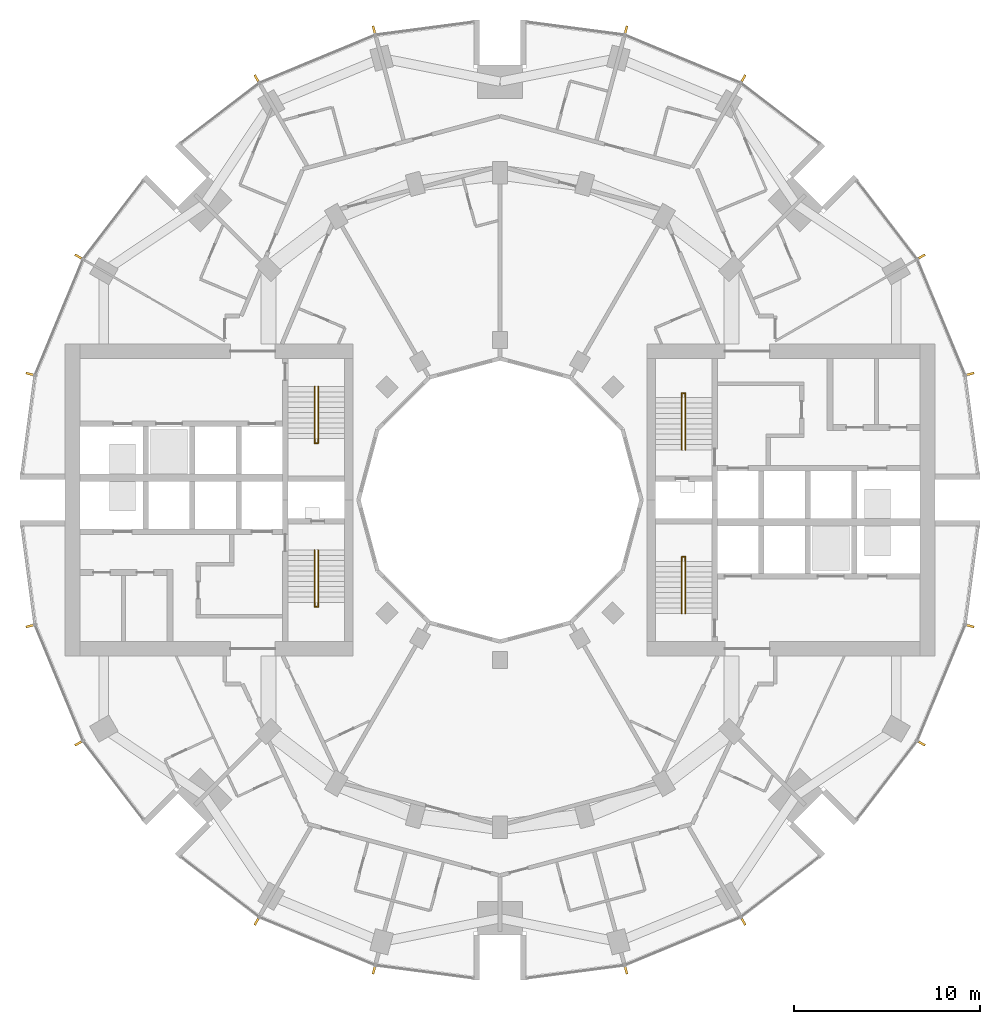
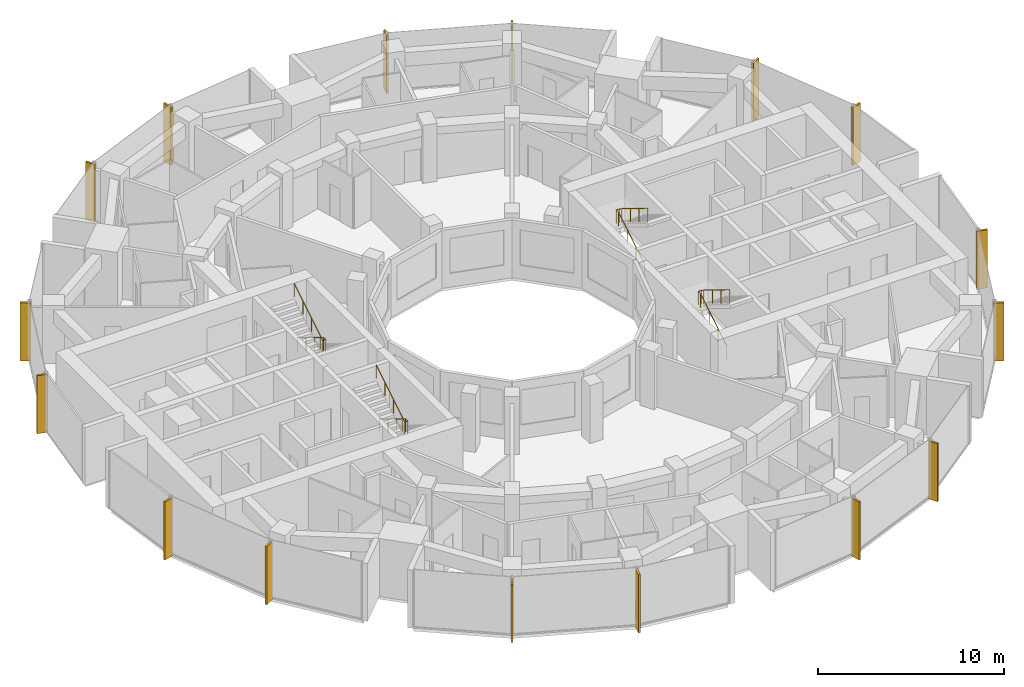
# One storey, part 14 of 15: 16 shading devices, 4 railings.
"""IFC4 building model written with IfcOpenShell, lengths in metres."""

from ifc_helpers import new_model, si_unit, direction, frame, origin, origin_2d, place, context, subcontext, project, spatial, rectangle, circle, extrude, material, material_profile, profile_set, type_object, element, save


model = new_model("IFC4")

# Units and contexts
model_context = context("Model", 3, precision=1e-05, world=origin(), true_north=direction((0.0, 1.0)))
body_context = subcontext(model_context, "Body", "Model", "MODEL_VIEW")
ifc_project = project(units=[si_unit("LENGTHUNIT", "METRE"), si_unit("AREAUNIT", "SQUARE_METRE"), si_unit("VOLUMEUNIT", "CUBIC_METRE"), si_unit("PLANEANGLEUNIT", "RADIAN"), si_unit("MASSUNIT", "GRAM", prefix="KILO")], contexts=[model_context])

# Site, building, storey
site_placement = place(None, origin())
site = spatial("IfcSite", under=ifc_project, at=site_placement, CompositionType="ELEMENT")
building_placement = place(site_placement, origin())
building = spatial("IfcBuilding", under=site, at=building_placement, Name="Torre Brocal", CompositionType="ELEMENT")
storey_placement = place(building_placement, frame((0.0, 0.0, 90.0)))
storey = spatial("IfcBuildingStorey", under=building, at=storey_placement, Name="L20", CompositionType="ELEMENT", Elevation=90.0)

# Shading devices
ifc_material_1 = material(Name="Aluminium, black anodised", Category="aluminium")
ifc_material_profile = material_profile(ifc_material_1, rectangle(XDim=0.1201171875, YDim=0.60009765625, at=origin_2d()), Name="FIN 120X600 3800 HIGH")
ifc_profile_set = profile_set([ifc_material_profile], Name="Aluminium, black anodised")
shading_device_type = type_object("IfcShadingDeviceType", Name="FIN 120X600 3800 HIGH", PredefinedType="USERDEFINED", material=ifc_profile_set)
for number, where, z_axis, x_axis, name in (
    (1, (105.208984375, 81.754638671875, -0.14990234375), (0.0, 0.0, 1.0), (-0.258819045103, 0.965925826289, 0.0), "FIN"),
    (2, (102.601806640625, 88.049072265625, -0.14990234375), (0.0, 0.0, 1.0), (-0.5, 0.866025403784, 0.0), "FIN"),
    (3, (93.049072265625, 97.601806640625, -0.14990234375), (0.0, 0.0, 1.0), (-0.866025403784, 0.5, 0.0), "FIN"),
    (4, (86.754638671875, 100.208984375, -0.14990234375), (0.0, 0.0, 1.0), (-0.965925826289, 0.258819045103, 0.0), "FIN"),
    (5, (73.245361328125, 100.208984375, -0.14990234375), (0.0, 0.0, 1.0), (-0.965925826289, -0.258819045103, 0.0), "FIN"),
    (6, (66.950927734375, 97.601806640625, -0.14990234375), (0.0, 0.0, 1.0), (-0.866025403784, -0.5, 0.0), "FIN"),
    (7, (57.398193359375, 88.049072265625, -0.14990234375), (0.0, 0.0, 1.0), (-0.5, -0.866025403784, 0.0), "FIN"),
    (8, (54.791015625, 81.754638671875, -0.14990234375), (0.0, 0.0, 1.0), (-0.258819045103, -0.965925826289, 0.0), "FIN"),
    (9, (54.791015625, 68.245361328125, -0.14990234375), (0.0, 0.0, 1.0), (0.258819045103, -0.965925826289, 0.0), "FIN"),
    (10, (57.398193359375, 61.950927734375, -0.14990234375), (0.0, 0.0, 1.0), (0.5, -0.866025403784, 0.0), "FIN"),
    (11, (66.950927734375, 52.398193359375, -0.14990234375), (0.0, 0.0, 1.0), (0.866025403784, -0.5, 0.0), "FIN"),
    (12, (73.245361328125, 49.791015625, -0.14990234375), (0.0, 0.0, 1.0), (0.965925826289, -0.258819045103, 0.0), "FIN"),
    (13, (86.754638671875, 49.791015625, -0.14990234375), (0.0, 0.0, 1.0), (0.965925826289, 0.258819045103, 0.0), "FIN"),
    (14, (93.049072265625, 52.398193359375, -0.14990234375), (0.0, 0.0, 1.0), (0.866025403784, 0.5, 0.0), "FIN"),
    (15, (102.601806640625, 61.950927734375, -0.14990234375), (0.0, 0.0, 1.0), (0.5, 0.866025403784, 0.0), "FIN"),
    (16, (105.208984375, 68.245361328125, -0.14990234375), (0.0, 0.0, 1.0), (0.258819045103, 0.965925826289, 0.0), "FIN"),
):
    element("IfcShadingDevice", number, at=place(storey_placement, frame(where, z_axis=z_axis, x_axis=x_axis)), inside=storey, type_object=shading_device_type, Name=name, ObjectType="FIN", PredefinedType="USERDEFINED", context=body_context, shape_type="SweptSolid", body=[
        extrude(rectangle(XDim=0.1201171875, YDim=0.60009765625, at=origin_2d()), origin(), (0.0, 0.0, 1.0), 3.7998046875),
    ])

# Railings
ifc_material_2 = material(Name="Stainless steel AISI 316", Category="steel")
railing_type = type_object("IfcRailingType", Name="STAIR HANDRAIL", PredefinedType="HANDRAIL", material=ifc_material_2)
railing_1_placement = place(storey_placement, frame((89.780029296875, 77.699951171875, 0.172607421875)))
element("IfcRailing", 17, at=railing_1_placement, inside=storey, type_object=railing_type, Name="HANDRAIL ST1", PredefinedType="HANDRAIL", context=body_context, shape_type="SweptSolid", body=[
    extrude(circle(Radius=0.02392578125, at=origin_2d()), frame((0.0, 0.0, 0.8759765625), z_axis=(0.0, 0.851089632645, 0.525020415988), x_axis=(-1.0, 0.0, 0.0)), (0.0, 0.0, 1.0), 3.2900390625),
    extrude(circle(Radius=0.02392578125, at=origin_2d()), frame((0.0, 2.800048828125, 2.60302734375), z_axis=(0.0, 1.0, 0.0), x_axis=(-1.0, 0.0, 0.0)), (0.0, 0.0, 1.0), 0.25),
    extrude(circle(Radius=0.02392578125, at=origin_2d()), frame((0.0, 3.050048828125, 2.60302734375), z_axis=(1.0, 0.0, 0.0), x_axis=(0.0, 1.0, 0.0)), (0.0, 0.0, 1.0), 0.18994140625),
    extrude(circle(Radius=0.02392578125, at=origin_2d()), frame((0.18994140625, 3.050048828125, 2.60302734375), z_axis=(0.0, -0.82253904752, 0.568708638324), x_axis=(1.0, 0.0, 0.0)), (0.0, 0.0, 1.0), 0.303955078125),
    extrude(circle(Radius=0.02392578125, at=origin_2d()), frame((0.18994140625, 2.800048828125, 2.77587890625), z_axis=(0.0, -0.851089632645, 0.525020415988), x_axis=(1.0, 0.0, 0.0)), (0.0, 0.0, 1.0), 3.2900390625),
    extrude(circle(Radius=0.02099609375, at=origin_2d()), origin(), (0.0, 0.0, 1.0), 0.851806640625),
    extrude(circle(Radius=0.02099609375, at=origin_2d()), frame((0.0, 0.933349609375, 0.57568359375)), (0.0, 0.0, 1.0), 0.851806640625),
    extrude(circle(Radius=0.02099609375, at=origin_2d()), frame((0.0, 1.86669921875, 1.151611328125)), (0.0, 0.0, 1.0), 0.851806640625),
    extrude(circle(Radius=0.02099609375, at=origin_2d()), frame((0.0, 2.800048828125, 1.727294921875)), (0.0, 0.0, 1.0), 0.851806640625),
    extrude(circle(Radius=0.02099609375, at=origin_2d()), frame((0.0, 3.050048828125, 1.727294921875)), (0.0, 0.0, 1.0), 0.851806640625),
    extrude(circle(Radius=0.02099609375, at=origin_2d()), frame((0.18994140625, 3.050048828125, 1.727294921875)), (0.0, 0.0, 1.0), 0.851806640625),
    extrude(circle(Radius=0.02099609375, at=origin_2d()), frame((0.18994140625, 2.800048828125, 1.900146484375)), (0.0, 0.0, 1.0), 0.851806640625),
    extrude(circle(Radius=0.02099609375, at=origin_2d()), frame((0.18994140625, 1.86669921875, 2.475830078125)), (0.0, 0.0, 1.0), 0.851806640625),
    extrude(circle(Radius=0.02099609375, at=origin_2d()), frame((0.18994140625, 0.933349609375, 3.0517578125)), (0.0, 0.0, 1.0), 0.851806640625),
    extrude(circle(Radius=0.02099609375, at=origin_2d()), frame((0.18994140625, 0.0, 3.62744140625)), (0.0, 0.0, 1.0), 0.851806640625),
])
railing_2_placement = place(storey_placement, frame((89.780029296875, 68.89990234375, 0.172607421875)))
element("IfcRailing", 18, at=railing_2_placement, inside=storey, type_object=railing_type, Name="HANDRAIL ST2", PredefinedType="HANDRAIL", context=body_context, shape_type="SweptSolid", body=[
    extrude(circle(Radius=0.02392578125, at=origin_2d()), frame((0.0, 0.0, 0.8759765625), z_axis=(0.0, 0.851089632645, 0.525020415988), x_axis=(-1.0, 0.0, 0.0)), (0.0, 0.0, 1.0), 3.2900390625),
    extrude(circle(Radius=0.02392578125, at=origin_2d()), frame((0.0, 2.800048828125, 2.60302734375), z_axis=(0.0, 1.0, 0.0), x_axis=(-1.0, 0.0, 0.0)), (0.0, 0.0, 1.0), 0.25),
    extrude(circle(Radius=0.02392578125, at=origin_2d()), frame((0.0, 3.050048828125, 2.60302734375), z_axis=(1.0, 0.0, 0.0), x_axis=(0.0, 1.0, 0.0)), (0.0, 0.0, 1.0), 0.18994140625),
    extrude(circle(Radius=0.02392578125, at=origin_2d()), frame((0.18994140625, 3.050048828125, 2.60302734375), z_axis=(0.0, -0.82253904752, 0.568708638324), x_axis=(1.0, 0.0, 0.0)), (0.0, 0.0, 1.0), 0.303955078125),
    extrude(circle(Radius=0.02392578125, at=origin_2d()), frame((0.18994140625, 2.800048828125, 2.77587890625), z_axis=(0.0, -0.851089632645, 0.525020415988), x_axis=(1.0, 0.0, 0.0)), (0.0, 0.0, 1.0), 3.2900390625),
    extrude(circle(Radius=0.02099609375, at=origin_2d()), origin(), (0.0, 0.0, 1.0), 0.851806640625),
    extrude(circle(Radius=0.02099609375, at=origin_2d()), frame((0.0, 0.933349609375, 0.57568359375)), (0.0, 0.0, 1.0), 0.851806640625),
    extrude(circle(Radius=0.02099609375, at=origin_2d()), frame((0.0, 1.86669921875, 1.151611328125)), (0.0, 0.0, 1.0), 0.851806640625),
    extrude(circle(Radius=0.02099609375, at=origin_2d()), frame((0.0, 2.800048828125, 1.727294921875)), (0.0, 0.0, 1.0), 0.851806640625),
    extrude(circle(Radius=0.02099609375, at=origin_2d()), frame((0.0, 3.050048828125, 1.727294921875)), (0.0, 0.0, 1.0), 0.851806640625),
    extrude(circle(Radius=0.02099609375, at=origin_2d()), frame((0.18994140625, 3.050048828125, 1.727294921875)), (0.0, 0.0, 1.0), 0.851806640625),
    extrude(circle(Radius=0.02099609375, at=origin_2d()), frame((0.18994140625, 2.800048828125, 1.900146484375)), (0.0, 0.0, 1.0), 0.851806640625),
    extrude(circle(Radius=0.02099609375, at=origin_2d()), frame((0.18994140625, 1.86669921875, 2.475830078125)), (0.0, 0.0, 1.0), 0.851806640625),
    extrude(circle(Radius=0.02099609375, at=origin_2d()), frame((0.18994140625, 0.933349609375, 3.0517578125)), (0.0, 0.0, 1.0), 0.851806640625),
    extrude(circle(Radius=0.02099609375, at=origin_2d()), frame((0.18994140625, 0.0, 3.62744140625)), (0.0, 0.0, 1.0), 0.851806640625),
])
railing_3_placement = place(storey_placement, frame((70.219970703125, 72.300048828125, 0.172607421875)))
element("IfcRailing", 19, at=railing_3_placement, inside=storey, type_object=railing_type, Name="HANDRAIL ST3", PredefinedType="HANDRAIL", context=body_context, shape_type="SweptSolid", body=[
    extrude(circle(Radius=0.02392578125, at=origin_2d()), frame((0.0, 0.0, 0.8759765625), z_axis=(0.0, -0.851089632645, 0.525020415988), x_axis=(1.0, 0.0, 0.0)), (0.0, 0.0, 1.0), 3.2900390625),
    extrude(circle(Radius=0.02392578125, at=origin_2d()), frame((0.0, -2.800048828125, 2.60302734375), z_axis=(0.0, -1.0, 0.0), x_axis=(1.0, 0.0, 0.0)), (0.0, 0.0, 1.0), 0.25),
    extrude(circle(Radius=0.02392578125, at=origin_2d()), frame((0.0, -3.050048828125, 2.60302734375), z_axis=(-1.0, 0.0, 0.0), x_axis=(0.0, -1.0, 0.0)), (0.0, 0.0, 1.0), 0.18994140625),
    extrude(circle(Radius=0.02392578125, at=origin_2d()), frame((-0.18994140625, -3.050048828125, 2.60302734375), z_axis=(0.0, 0.82253904752, 0.568708638324), x_axis=(-1.0, 0.0, 0.0)), (0.0, 0.0, 1.0), 0.303955078125),
    extrude(circle(Radius=0.02392578125, at=origin_2d()), frame((-0.18994140625, -2.800048828125, 2.77587890625), z_axis=(0.0, 0.851089632645, 0.525020415988), x_axis=(-1.0, 0.0, 0.0)), (0.0, 0.0, 1.0), 3.2900390625),
    extrude(circle(Radius=0.02099609375, at=origin_2d()), origin(), (0.0, 0.0, 1.0), 0.851806640625),
    extrude(circle(Radius=0.02099609375, at=origin_2d()), frame((0.0, -0.933349609375, 0.57568359375)), (0.0, 0.0, 1.0), 0.851806640625),
    extrude(circle(Radius=0.02099609375, at=origin_2d()), frame((0.0, -1.86669921875, 1.151611328125)), (0.0, 0.0, 1.0), 0.851806640625),
    extrude(circle(Radius=0.02099609375, at=origin_2d()), frame((0.0, -2.800048828125, 1.727294921875)), (0.0, 0.0, 1.0), 0.851806640625),
    extrude(circle(Radius=0.02099609375, at=origin_2d()), frame((0.0, -3.050048828125, 1.727294921875)), (0.0, 0.0, 1.0), 0.851806640625),
    extrude(circle(Radius=0.02099609375, at=origin_2d()), frame((-0.18994140625, -3.050048828125, 1.727294921875)), (0.0, 0.0, 1.0), 0.851806640625),
    extrude(circle(Radius=0.02099609375, at=origin_2d()), frame((-0.18994140625, -2.800048828125, 1.900146484375)), (0.0, 0.0, 1.0), 0.851806640625),
    extrude(circle(Radius=0.02099609375, at=origin_2d()), frame((-0.18994140625, -1.86669921875, 2.475830078125)), (0.0, 0.0, 1.0), 0.851806640625),
    extrude(circle(Radius=0.02099609375, at=origin_2d()), frame((-0.18994140625, -0.933349609375, 3.0517578125)), (0.0, 0.0, 1.0), 0.851806640625),
    extrude(circle(Radius=0.02099609375, at=origin_2d()), frame((-0.18994140625, 0.0, 3.62744140625)), (0.0, 0.0, 1.0), 0.851806640625),
])
railing_4_placement = place(storey_placement, frame((70.219970703125, 81.10009765625, 0.172607421875)))
element("IfcRailing", 20, at=railing_4_placement, inside=storey, type_object=railing_type, Name="HANDRAIL ST4", PredefinedType="HANDRAIL", context=body_context, shape_type="SweptSolid", body=[
    extrude(circle(Radius=0.02392578125, at=origin_2d()), frame((0.0, 0.0, 0.8759765625), z_axis=(0.0, -0.851089632645, 0.525020415988), x_axis=(1.0, 0.0, 0.0)), (0.0, 0.0, 1.0), 3.2900390625),
    extrude(circle(Radius=0.02392578125, at=origin_2d()), frame((0.0, -2.800048828125, 2.60302734375), z_axis=(0.0, -1.0, 0.0), x_axis=(1.0, 0.0, 0.0)), (0.0, 0.0, 1.0), 0.25),
    extrude(circle(Radius=0.02392578125, at=origin_2d()), frame((0.0, -3.050048828125, 2.60302734375), z_axis=(-1.0, 0.0, 0.0), x_axis=(0.0, -1.0, 0.0)), (0.0, 0.0, 1.0), 0.18994140625),
    extrude(circle(Radius=0.02392578125, at=origin_2d()), frame((-0.18994140625, -3.050048828125, 2.60302734375), z_axis=(0.0, 0.82253904752, 0.568708638324), x_axis=(-1.0, 0.0, 0.0)), (0.0, 0.0, 1.0), 0.303955078125),
    extrude(circle(Radius=0.02392578125, at=origin_2d()), frame((-0.18994140625, -2.800048828125, 2.77587890625), z_axis=(0.0, 0.851089632645, 0.525020415988), x_axis=(-1.0, 0.0, 0.0)), (0.0, 0.0, 1.0), 3.2900390625),
    extrude(circle(Radius=0.02099609375, at=origin_2d()), origin(), (0.0, 0.0, 1.0), 0.851806640625),
    extrude(circle(Radius=0.02099609375, at=origin_2d()), frame((0.0, -0.933349609375, 0.57568359375)), (0.0, 0.0, 1.0), 0.851806640625),
    extrude(circle(Radius=0.02099609375, at=origin_2d()), frame((0.0, -1.86669921875, 1.151611328125)), (0.0, 0.0, 1.0), 0.851806640625),
    extrude(circle(Radius=0.02099609375, at=origin_2d()), frame((0.0, -2.800048828125, 1.727294921875)), (0.0, 0.0, 1.0), 0.851806640625),
    extrude(circle(Radius=0.02099609375, at=origin_2d()), frame((0.0, -3.050048828125, 1.727294921875)), (0.0, 0.0, 1.0), 0.851806640625),
    extrude(circle(Radius=0.02099609375, at=origin_2d()), frame((-0.18994140625, -3.050048828125, 1.727294921875)), (0.0, 0.0, 1.0), 0.851806640625),
    extrude(circle(Radius=0.02099609375, at=origin_2d()), frame((-0.18994140625, -2.800048828125, 1.900146484375)), (0.0, 0.0, 1.0), 0.851806640625),
    extrude(circle(Radius=0.02099609375, at=origin_2d()), frame((-0.18994140625, -1.86669921875, 2.475830078125)), (0.0, 0.0, 1.0), 0.851806640625),
    extrude(circle(Radius=0.02099609375, at=origin_2d()), frame((-0.18994140625, -0.933349609375, 3.0517578125)), (0.0, 0.0, 1.0), 0.851806640625),
    extrude(circle(Radius=0.02099609375, at=origin_2d()), frame((-0.18994140625, 0.0, 3.62744140625)), (0.0, 0.0, 1.0), 0.851806640625),
])

save(model, "model.ifc")
